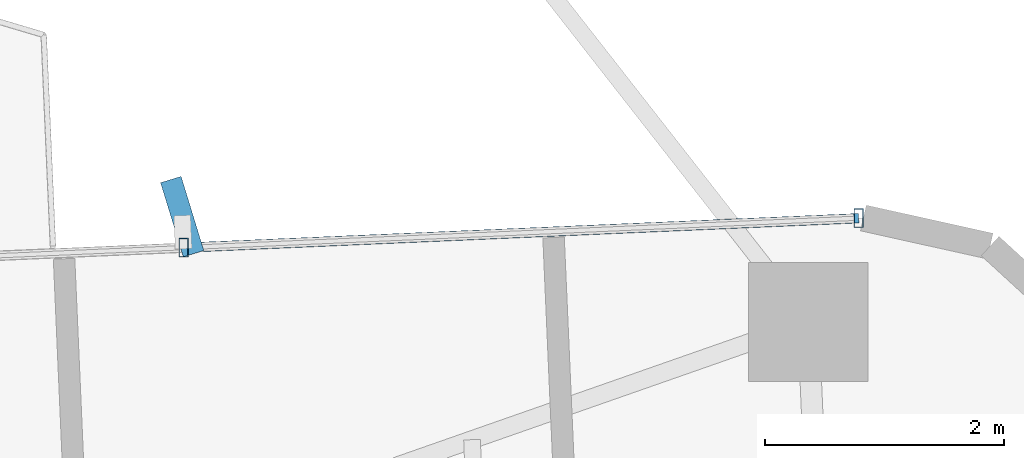
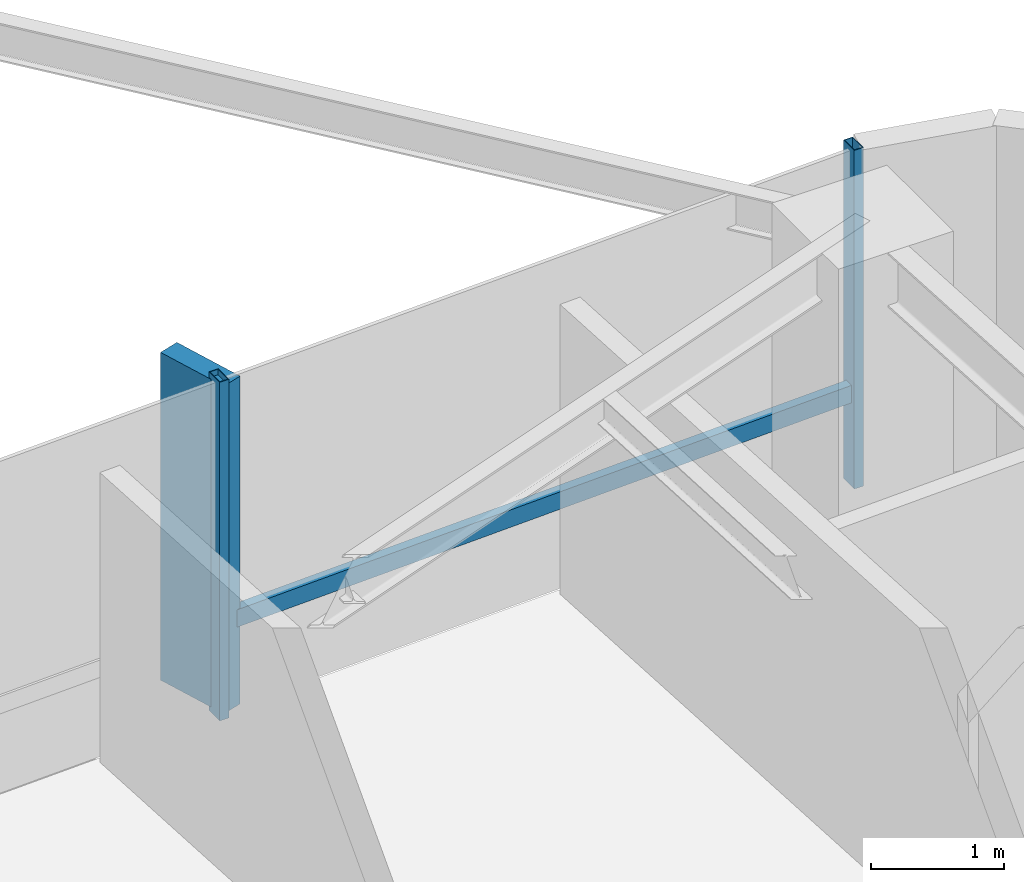
# One storey, part 20 of 26: 4 members, 1 element without a shape of its own.
"""IFC4 building model written with IfcOpenShell, lengths in metres."""

from ifc_helpers import new_model, si_unit, direction, frame, origin, origin_2d, place, context, subcontext, project, spatial, rectangle, hollow_rectangle, extrude, source, transform, mapped, material, material_profile, profile_set, type_object, element, aggregate, save


model = new_model("IFC4")

# Units and contexts
model_context = context("Model", 3, precision=1e-05, world=origin(), true_north=direction((0.0, 1.0)))
body_context = subcontext(model_context, "Body", "Model", "MODEL_VIEW")
ifc_project = project(units=[si_unit("LENGTHUNIT", "METRE"), si_unit("AREAUNIT", "SQUARE_METRE"), si_unit("VOLUMEUNIT", "CUBIC_METRE"), si_unit("PLANEANGLEUNIT", "RADIAN"), si_unit("MASSUNIT", "GRAM", prefix="KILO")], contexts=[model_context])

# Site, building, storey
site_placement = place(None, origin())
site = spatial("IfcSite", under=ifc_project, at=site_placement, CompositionType="ELEMENT")
building_placement = place(site_placement, origin())
building = spatial("IfcBuilding", under=site, at=building_placement, Name="Sahyath Konkavel Grand Hotel", CompositionType="ELEMENT")
storey_placement = place(building_placement, frame((0.0, 0.0, 124.85009765625)))
storey = spatial("IfcBuildingStorey", under=building, at=storey_placement, Name="L34", CompositionType="ELEMENT", Elevation=124.85009765625)

# Curtain wall, members
ifc_material_1 = material(Name="Anodised Bronze Aluminium & Low-E Glazing", Category="aluminium")
curtain_wall_type = type_object("IfcCurtainWallType", Name="CW-ZONE2", PredefinedType="NOTDEFINED", material=ifc_material_1)
curtain_wall_placement = place(storey_placement, origin())
curtain_wall = element("IfcCurtainWall", 1, at=curtain_wall_placement, inside=storey, type_object=curtain_wall_type, Name="L34 Unitised Curtain Wall F7", PredefinedType="NOTDEFINED")
ifc_material_2 = material(Name="Anodised Bronze Aluminium", Category="aluminium")
ifc_material_profile_1 = material_profile(ifc_material_2, hollow_rectangle(XDim=0.080078125, YDim=0.159912109375, WallThickness=0.006103515625, at=origin_2d()), Name="RHS 160x80x6")
ifc_profile_set_1 = profile_set([ifc_material_profile_1], Name="Anodised Bronze Aluminium")
member_type_1 = type_object("IfcMemberType", Name="CW-MUL-160", PredefinedType="MULLION", material=ifc_profile_set_1)
shared_shape_1 = source(origin(), body_context, "Body", "SweptSolid", [
    extrude(hollow_rectangle(XDim=0.080078125, YDim=0.159912109375, WallThickness=0.006103515625, at=origin_2d()), origin(), (0.0, 0.0, 1.0), 3.10986328125),
])
member_1_placement = place(storey_placement, frame((17.655029296875, 7.377197265625, 0.0), z_axis=(0.0, 0.0, 1.0), x_axis=(1.0, 0.0, 0.0)))
member_1 = element("IfcMember", 2, at=member_1_placement, type_object=member_type_1, Name="L34 Curtain Wall Mullion F7-0", PredefinedType="MULLION", context=body_context, shape_type="MappedRepresentation", body=[
    mapped(shared_shape_1, transform((0.0, 0.0, 0.0), scale=1.0)),
])
member_2_placement = place(storey_placement, frame((12.00048828125, 7.13037109375, 0.0), z_axis=(0.0, 0.0, 1.0), x_axis=(1.0, 0.0, 0.0)))
member_2 = element("IfcMember", 3, at=member_2_placement, type_object=member_type_1, Name="L34 Curtain Wall Mullion F7-1", PredefinedType="MULLION", context=body_context, shape_type="MappedRepresentation", body=[
    mapped(shared_shape_1, transform((0.0, 0.0, 0.0), scale=1.0)),
])
ifc_material_3 = material(Name="Warm Buff Sandstone Cladding on Concrete C50/60", Category="masonry")
ifc_material_profile_2 = material_profile(ifc_material_3, rectangle(XDim=0.179931640625, YDim=0.64990234375, at=origin_2d()), Name="FIN 180x650")
ifc_profile_set_2 = profile_set([ifc_material_profile_2], Name="Warm Buff Sandstone Cladding on Concrete C50/60")
member_type_2 = type_object("IfcMemberType", Name="FIN-SANDSTONE-650", PredefinedType="MULLION", material=ifc_profile_set_2)
shared_shape_2 = source(origin(), body_context, "Body", "SweptSolid", [
    extrude(rectangle(XDim=0.179931640625, YDim=0.64990234375, at=origin_2d()), origin(), (0.0, 0.0, 1.0), 3.010009765625),
])
member_3_placement = place(storey_placement, frame((11.989013671875, 7.39013671875, 0.0498046875), z_axis=(0.0, 0.0, 1.0), x_axis=(0.956151539415, 0.292872384621, 0.0)))
member_3 = element("IfcMember", 4, at=member_3_placement, type_object=member_type_2, Name="L34 Sandstone Vertical Solar Fin FIN F7-1", PredefinedType="MULLION", context=body_context, shape_type="MappedRepresentation", body=[
    mapped(shared_shape_2, transform((0.0, 0.0, 0.0), scale=1.0)),
])
ifc_material_profile_3 = material_profile(ifc_material_2, hollow_rectangle(XDim=0.080078125, YDim=0.159912109375, WallThickness=0.006103515625, at=origin_2d()), Name="RHS 160x80x6")
ifc_profile_set_3 = profile_set([ifc_material_profile_3], Name="Anodised Bronze Aluminium")
member_type_3 = type_object("IfcMemberType", Name="CW-TRN-160", PredefinedType="USERDEFINED", material=ifc_profile_set_3)
shared_shape_3 = source(origin(), body_context, "Body", "SweptSolid", [
    extrude(hollow_rectangle(XDim=0.080078125, YDim=0.159912109375, WallThickness=0.006103515625, at=origin_2d()), origin(), (0.0, 0.0, 1.0), 5.659912109375),
])
member_4_placement = place(storey_placement, frame((17.655029296875, 7.377197265625, 0.849853515625), z_axis=(-0.999048655935, -0.043609437898, 0.0), x_axis=(0.043609437898, -0.999048655935, 0.0)))
member_4 = element("IfcMember", 5, at=member_4_placement, type_object=member_type_3, Name="L34 Curtain Wall Transom F7-0-spandrel", ObjectType="TRANSOM", PredefinedType="USERDEFINED", context=body_context, shape_type="MappedRepresentation", body=[
    mapped(shared_shape_3, transform((0.0, 0.0, 0.0), scale=1.0)),
])
aggregate(curtain_wall, [member_1, member_2, member_3, member_4])

save(model, "model.ifc")
